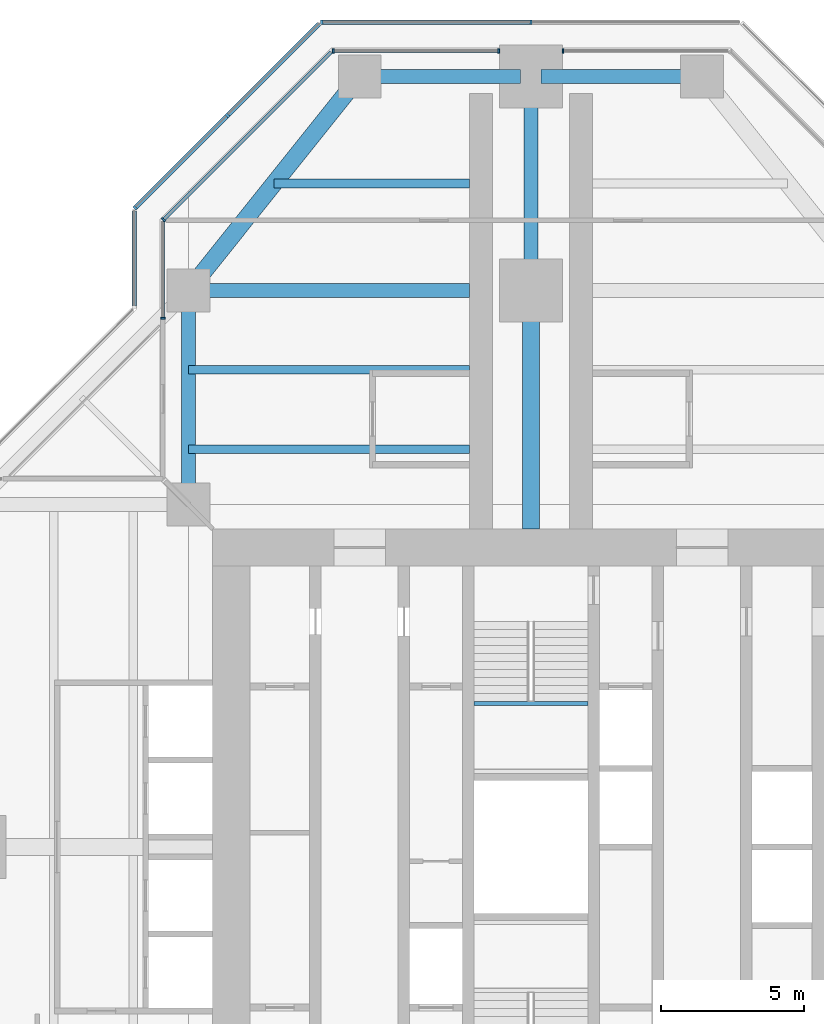
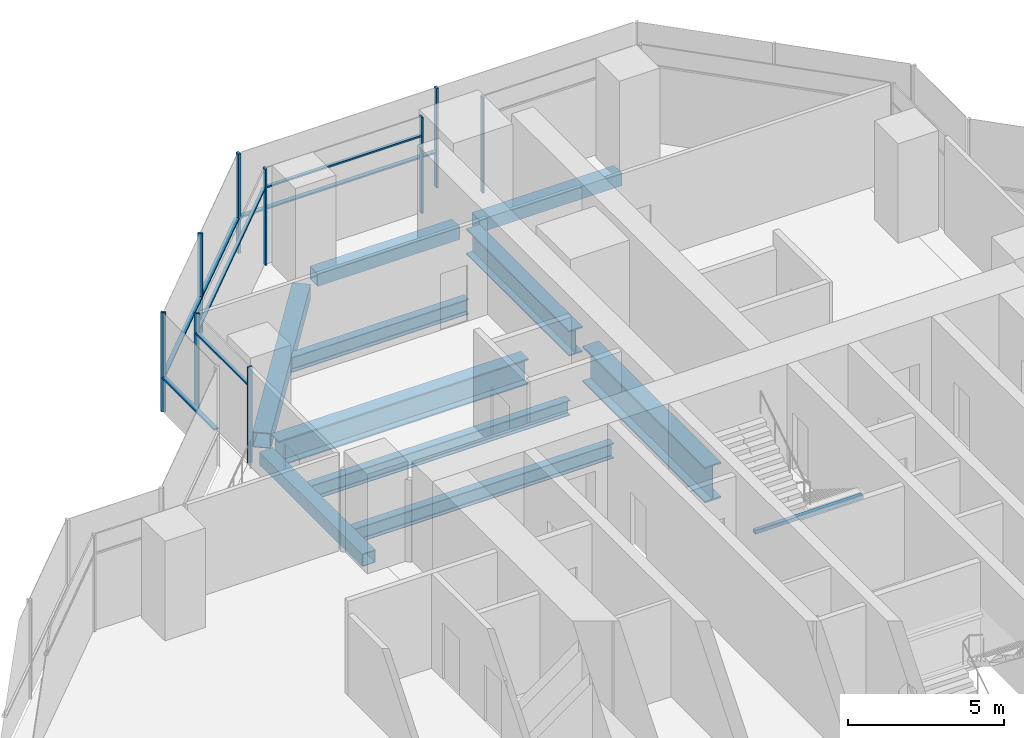
# One storey, part 7 of 17: 16 members, 11 beams, 7 elements without a shape of their own.
"""IFC4 building model written with IfcOpenShell, lengths in metres."""

from ifc_helpers import new_model, si_unit, direction, frame, origin, origin_2d, place, context, subcontext, project, spatial, rectangle, hollow_rectangle, i_section, extrude, material, material_profile, profile_set, type_object, element, aggregate, save


model = new_model("IFC4")

# Units and contexts
model_context = context("Model", 3, precision=1e-05, world=origin(), true_north=direction((0.0, 1.0)))
body_context = subcontext(model_context, "Body", "Model", "MODEL_VIEW")
ifc_project = project(units=[si_unit("LENGTHUNIT", "METRE"), si_unit("AREAUNIT", "SQUARE_METRE"), si_unit("VOLUMEUNIT", "CUBIC_METRE"), si_unit("PLANEANGLEUNIT", "RADIAN"), si_unit("MASSUNIT", "GRAM", prefix="KILO")], contexts=[model_context])

# Site, building, storey
site_placement = place(None, origin())
site = spatial("IfcSite", under=ifc_project, at=site_placement, CompositionType="ELEMENT")
building_placement = place(site_placement, origin())
building = spatial("IfcBuilding", under=site, at=building_placement, Name="Mizan Broadcast Tower", CompositionType="ELEMENT")
storey_placement = place(building_placement, frame((0.0, 0.0, 232.199951171875)))
storey = spatial("IfcBuildingStorey", under=building, at=storey_placement, Name="L54", CompositionType="ELEMENT", Elevation=232.199951171875)

# Beams
ifc_material_1 = material(Name="Steel S355", Category="steel")
ifc_material_profile_1 = material_profile(ifc_material_1, hollow_rectangle(XDim=0.5, YDim=0.5, WallThickness=0.030029296875, at=origin_2d()), Name="BOX 500x500x30")
ifc_profile_set_1 = profile_set([ifc_material_profile_1], Name="Steel S355")
beam_type_1 = type_object("IfcBeamType", Name="EDGE BEAM BOX 500x500x30", PredefinedType="SPANDREL", material=ifc_profile_set_1)
beam_1_placement = place(storey_placement, frame((5.639892578125, 27.0, -0.3798828125), z_axis=(-1.0, 0.0, 0.0), x_axis=(0.0, -1.0, 0.0)))
element("IfcBeam", 1, at=beam_1_placement, inside=storey, type_object=beam_type_1, Name="Edge beam BOX 500x500x30 L54 north arm", PredefinedType="SPANDREL", context=body_context, shape_type="SweptSolid", body=[
    extrude(hollow_rectangle(XDim=0.5, YDim=0.5, WallThickness=0.030029296875, at=origin_2d()), origin(), (0.0, 0.0, 1.0), 5.27978515625),
])
beam_2_placement = place(storey_placement, frame((-12.0, 12.449951171875, -0.3798828125), z_axis=(0.0, 1.0, 0.0), x_axis=(-1.0, 0.0, 0.0)))
element("IfcBeam", 2, at=beam_2_placement, inside=storey, type_object=beam_type_1, Name="Edge beam BOX 500x500x30 L54 north arm", PredefinedType="SPANDREL", context=body_context, shape_type="SweptSolid", body=[
    extrude(hollow_rectangle(XDim=0.5, YDim=0.5, WallThickness=0.030029296875, at=origin_2d()), origin(), (0.0, 0.0, 1.0), 6.60009765625),
])
beam_3_placement = place(storey_placement, frame((-5.639892578125, 27.0, -0.3798828125), z_axis=(1.0, 0.0, 0.0), x_axis=(0.0, 1.0, 0.0)))
element("IfcBeam", 3, at=beam_3_placement, inside=storey, type_object=beam_type_1, Name="Edge beam BOX 500x500x30 L54 north arm", PredefinedType="SPANDREL", context=body_context, shape_type="SweptSolid", body=[
    extrude(hollow_rectangle(XDim=0.5, YDim=0.5, WallThickness=0.030029296875, at=origin_2d()), origin(), (0.0, 0.0, 1.0), 5.27978515625),
])
ifc_material_2 = material(Name="Steel S355", Category="steel")
ifc_material_profile_2 = material_profile(ifc_material_2, hollow_rectangle(XDim=0.60009765625, YDim=0.60009765625, WallThickness=0.030029296875, at=origin_2d()), Name="BOX 600x600x30")
ifc_profile_set_2 = profile_set([ifc_material_profile_2], Name="Steel S355")
beam_type_2 = type_object("IfcBeamType", Name="EDGE BEAM BOX 600x600x30", PredefinedType="SPANDREL", material=ifc_profile_set_2)
beam_4_placement = place(storey_placement, frame((-11.639892578125, 19.949951171875, -0.429931640625), z_axis=(0.624673911726, 0.780885717636, 0.0), x_axis=(-0.780885717636, 0.624673911726, 0.0)))
element("IfcBeam", 4, at=beam_4_placement, inside=storey, type_object=beam_type_2, Name="Edge beam BOX 600x600x30 L54 north arm", PredefinedType="SPANDREL", context=body_context, shape_type="SweptSolid", body=[
    extrude(hollow_rectangle(XDim=0.60009765625, YDim=0.60009765625, WallThickness=0.030029296875, at=origin_2d()), origin(), (0.0, 0.0, 1.0), 8.4521484375),
])
ifc_material_3 = material(Name="Steel S460", Category="steel")
ifc_material_profile_3 = material_profile(ifc_material_3, i_section(OverallWidth=0.5, OverallDepth=1.0, WebThickness=0.02490234375, FlangeThickness=0.050048828125, at=origin_2d()), Name="WPG 1000x500")
ifc_profile_set_3 = profile_set([ifc_material_profile_3], Name="Steel S460")
beam_type_3 = type_object("IfcBeamType", Name="GIRDER WPG 1000x500", PredefinedType="BEAM", material=ifc_profile_set_3)
beam_5_placement = place(storey_placement, frame((0.0, 19.949951171875, -0.6298828125), z_axis=(0.0, 1.0, 0.0), x_axis=(-1.0, 0.0, 0.0)))
element("IfcBeam", 5, at=beam_5_placement, inside=storey, type_object=beam_type_3, Name="Girder WPG 1000x500 L54 north arm", PredefinedType="BEAM", context=body_context, shape_type="SweptSolid", body=[
    extrude(i_section(OverallWidth=0.5, OverallDepth=1.0, WebThickness=0.02490234375, FlangeThickness=0.050048828125, at=origin_2d()), origin(), (0.0, 0.0, 1.0), 6.60009765625),
])
beam_6_placement = place(storey_placement, frame((-11.408935546875, 19.5, -0.6298828125), z_axis=(1.0, 0.0, 0.0), x_axis=(0.0, 1.0, 0.0)))
element("IfcBeam", 6, at=beam_6_placement, inside=storey, type_object=beam_type_3, Name="Girder WPG 1000x500 L54 north arm", PredefinedType="BEAM", context=body_context, shape_type="SweptSolid", body=[
    extrude(i_section(OverallWidth=0.5, OverallDepth=1.0, WebThickness=0.02490234375, FlangeThickness=0.050048828125, at=origin_2d()), origin(), (0.0, 0.0, 1.0), 9.259033203125),
])
ifc_material_4 = material(Name="Steel S460", Category="steel")
ifc_material_profile_4 = material_profile(ifc_material_4, i_section(OverallWidth=0.60009765625, OverallDepth=1.39990234375, WebThickness=0.02490234375, FlangeThickness=0.06005859375, at=origin_2d()), Name="WPG 1400x600")
ifc_profile_set_4 = profile_set([ifc_material_profile_4], Name="Steel S460")
beam_type_4 = type_object("IfcBeamType", Name="GIRDER WPG 1400x600", PredefinedType="BEAM", material=ifc_profile_set_4)
beam_7_placement = place(storey_placement, frame((0.0, 11.14990234375, -0.829833984375), z_axis=(0.0, 1.0, 0.0), x_axis=(-1.0, 0.0, 0.0)))
element("IfcBeam", 7, at=beam_7_placement, inside=storey, type_object=beam_type_4, Name="Girder WPG 1400x600 L54 north arm", PredefinedType="BEAM", context=body_context, shape_type="SweptSolid", body=[
    extrude(i_section(OverallWidth=0.60009765625, OverallDepth=1.39990234375, WebThickness=0.02490234375, FlangeThickness=0.06005859375, at=origin_2d()), origin(), (0.0, 0.0, 1.0), 7.84912109375),
])

# Curtain wall, member
ifc_material_5 = material(Name="Aluminium framed glazing", Category="aluminium")
curtain_wall_type_1 = type_object("IfcCurtainWallType", Name="INNER SKIN HIGH ZONE", PredefinedType="USERDEFINED", material=ifc_material_5)
curtain_wall_1_placement = place(storey_placement, origin())
curtain_wall_1 = element("IfcCurtainWall", 8, at=curtain_wall_1_placement, inside=storey, type_object=curtain_wall_type_1, Name="Inner skin high zone L54 N end", ObjectType="INNER SKIN HIGH ZONE", PredefinedType="USERDEFINED")
ifc_material_6 = material(Name="Aluminium, pale anodised", Category="aluminium")
ifc_material_profile_5 = material_profile(ifc_material_6, rectangle(XDim=0.159912109375, YDim=0.06005859375, at=origin_2d()), Name="MULLION 160x60")
ifc_profile_set_5 = profile_set([ifc_material_profile_5], Name="Aluminium, pale anodised")
member_type_1 = type_object("IfcMemberType", Name="INNER SKIN MULLION 60x160", PredefinedType="MULLION", material=ifc_profile_set_5)
member_1_placement = place(storey_placement, frame((1.1298828125, 27.89990234375, 0.0), z_axis=(0.0, 0.0, 1.0), x_axis=(0.0, -1.0, 0.0)))
member_1 = element("IfcMember", 9, at=member_1_placement, type_object=member_type_1, Name="Inner skin high zone L54 N end mullion 2", PredefinedType="MULLION", context=body_context, shape_type="SweptSolid", body=[
    extrude(rectangle(XDim=0.159912109375, YDim=0.06005859375, at=origin_2d()), origin(), (0.0, 0.0, 1.0), 3.77001953125),
])
aggregate(curtain_wall_1, [member_1])

# Curtain wall, members
curtain_wall_2_placement = place(storey_placement, origin())
curtain_wall_2 = element("IfcCurtainWall", 10, at=curtain_wall_2_placement, inside=storey, type_object=curtain_wall_type_1, Name="Inner skin high zone L54 N end", ObjectType="INNER SKIN HIGH ZONE", PredefinedType="USERDEFINED")
member_2_placement = place(storey_placement, frame((-1.1298828125, 27.89990234375, 0.0), z_axis=(0.0, 0.0, 1.0), x_axis=(0.0, -1.0, 0.0)))
member_2 = element("IfcMember", 11, at=member_2_placement, type_object=member_type_1, Name="Inner skin high zone L54 N end mullion 1", PredefinedType="MULLION", context=body_context, shape_type="SweptSolid", body=[
    extrude(rectangle(XDim=0.159912109375, YDim=0.06005859375, at=origin_2d()), origin(), (0.0, 0.0, 1.0), 3.77001953125),
])
member_3_placement = place(storey_placement, frame((-6.928466796875, 27.89990234375, 0.0), z_axis=(0.0, 0.0, 1.0), x_axis=(0.0, -1.0, 0.0)))
member_3 = element("IfcMember", 12, at=member_3_placement, type_object=member_type_1, Name="Inner skin high zone L54 N end mullion 2", PredefinedType="MULLION", context=body_context, shape_type="SweptSolid", body=[
    extrude(rectangle(XDim=0.159912109375, YDim=0.06005859375, at=origin_2d()), origin(), (0.0, 0.0, 1.0), 3.77001953125),
])

# Curtain wall, member
curtain_wall_3_placement = place(storey_placement, origin())
curtain_wall_3 = element("IfcCurtainWall", 13, at=curtain_wall_3_placement, inside=storey, type_object=curtain_wall_type_1, Name="Inner skin high zone L54 N chamfer", ObjectType="INNER SKIN HIGH ZONE", PredefinedType="USERDEFINED")
member_4_placement = place(storey_placement, frame((-12.87890625, 21.979736328125, 0.0), z_axis=(0.0, 0.0, 1.0), x_axis=(0.707106781187, -0.707106781187, 0.0)))
member_4 = element("IfcMember", 14, at=member_4_placement, type_object=member_type_1, Name="Inner skin high zone L54 N chamfer mullion 2", PredefinedType="MULLION", context=body_context, shape_type="SweptSolid", body=[
    extrude(rectangle(XDim=0.159912109375, YDim=0.06005859375, at=origin_2d()), origin(), (0.0, 0.0, 1.0), 3.77001953125),
])

curtain_wall_4_placement = place(storey_placement, origin())
curtain_wall_4 = element("IfcCurtainWall", 15, at=curtain_wall_4_placement, inside=storey, type_object=curtain_wall_type_1, Name="Inner skin high zone L54 N side", ObjectType="INNER SKIN HIGH ZONE", PredefinedType="USERDEFINED")
member_5_placement = place(storey_placement, frame((-12.89990234375, 18.530029296875, 0.0), z_axis=(0.0, 0.0, 1.0), x_axis=(1.0, 0.0, 0.0)))
member_5 = element("IfcMember", 16, at=member_5_placement, type_object=member_type_1, Name="Inner skin high zone L54 N side mullion 2", PredefinedType="MULLION", context=body_context, shape_type="SweptSolid", body=[
    extrude(rectangle(XDim=0.159912109375, YDim=0.06005859375, at=origin_2d()), origin(), (0.0, 0.0, 1.0), 3.77001953125),
])

# Member
ifc_material_7 = material(Name="Aluminium, pale anodised", Category="aluminium")
ifc_material_profile_6 = material_profile(ifc_material_7, rectangle(XDim=0.1201171875, YDim=0.06005859375, at=origin_2d()), Name="TRANSOM 120x60")
ifc_profile_set_6 = profile_set([ifc_material_profile_6], Name="Aluminium, pale anodised")
member_type_2 = type_object("IfcMemberType", Name="INNER SKIN TRANSOM 60x120", PredefinedType="USERDEFINED", material=ifc_profile_set_6)
member_6_placement = place(storey_placement, frame((-1.159912109375, 27.89990234375, 3.030029296875), z_axis=(-1.0, 0.0, 0.0), x_axis=(0.0, -1.0, 0.0)))
member_6 = element("IfcMember", 17, at=member_6_placement, type_object=member_type_2, Name="Inner skin high zone L54 N end transom 1.1", ObjectType="TRANSOM", PredefinedType="USERDEFINED", context=body_context, shape_type="SweptSolid", body=[
    extrude(rectangle(XDim=0.1201171875, YDim=0.06005859375, at=origin_2d()), origin(), (0.0, 0.0, 1.0), 5.73876953125),
])

aggregate(curtain_wall_2, [member_2, member_3, member_6])

member_7_placement = place(storey_placement, frame((-7.0009765625, 27.857666015625, 3.030029296875), z_axis=(-0.707106781187, -0.707106781187, 0.0), x_axis=(0.707106781187, -0.707106781187, 0.0)))
member_7 = element("IfcMember", 18, at=member_7_placement, type_object=member_type_2, Name="Inner skin high zone L54 N chamfer transom 1.1", ObjectType="TRANSOM", PredefinedType="USERDEFINED", context=body_context, shape_type="SweptSolid", body=[
    extrude(rectangle(XDim=0.1201171875, YDim=0.06005859375, at=origin_2d()), origin(), (0.0, 0.0, 1.0), 8.28271484375),
])

aggregate(curtain_wall_3, [member_4, member_7])

member_8_placement = place(storey_placement, frame((-12.89990234375, 21.898681640625, 3.030029296875), z_axis=(0.0, -1.0, 0.0), x_axis=(1.0, 0.0, 0.0)))
member_8 = element("IfcMember", 19, at=member_8_placement, type_object=member_type_2, Name="Inner skin high zone L54 N side transom 1.1", ObjectType="TRANSOM", PredefinedType="USERDEFINED", context=body_context, shape_type="SweptSolid", body=[
    extrude(rectangle(XDim=0.1201171875, YDim=0.06005859375, at=origin_2d()), origin(), (0.0, 0.0, 1.0), 3.338623046875),
])

aggregate(curtain_wall_4, [member_5, member_8])

# Beam
ifc_material_8 = material(Name="Steel S355", Category="steel")
ifc_material_profile_7 = material_profile(ifc_material_8, hollow_rectangle(XDim=0.14990234375, YDim=0.14990234375, WallThickness=0.008056640625, InnerFilletRadius=0.008056640625, OuterFilletRadius=0.011962890625, at=origin_2d()), Name="SHS 150x150x8")
ifc_profile_set_7 = profile_set([ifc_material_profile_7], Name="Steel S355")
beam_type_5 = type_object("IfcBeamType", Name="LANDING TRIMMER SHS 150x150x8", PredefinedType="BEAM", material=ifc_profile_set_7)
beam_8_placement = place(storey_placement, frame((2.0, 5.02490234375, 1.675048828125), z_axis=(-1.0, 0.0, 0.0), x_axis=(0.0, -1.0, 0.0)))
element("IfcBeam", 20, at=beam_8_placement, inside=storey, type_object=beam_type_5, Name="Stair B landing trimmer L54", PredefinedType="BEAM", context=body_context, shape_type="SweptSolid", body=[
    extrude(hollow_rectangle(XDim=0.14990234375, YDim=0.14990234375, WallThickness=0.008056640625, InnerFilletRadius=0.008056640625, OuterFilletRadius=0.011962890625, at=origin_2d()), origin(), (0.0, 0.0, 1.0), 4.0),
])

# Curtain wall, members
ifc_material_9 = material(Name="Aluminium framed glazing", Category="aluminium")
curtain_wall_type_2 = type_object("IfcCurtainWallType", Name="OUTER SKIN", PredefinedType="USERDEFINED", material=ifc_material_9)
curtain_wall_5_placement = place(storey_placement, origin())
curtain_wall_5 = element("IfcCurtainWall", 21, at=curtain_wall_5_placement, inside=storey, type_object=curtain_wall_type_2, Name="Outer skin L54 N end", ObjectType="OUTER SKIN", PredefinedType="USERDEFINED")
ifc_material_10 = material(Name="Aluminium, pale anodised", Category="aluminium")
ifc_material_profile_8 = material_profile(ifc_material_10, rectangle(XDim=0.159912109375, YDim=0.080078125, at=origin_2d()), Name="MULLION 160x80")
ifc_profile_set_8 = profile_set([ifc_material_profile_8], Name="Aluminium, pale anodised")
member_type_3 = type_object("IfcMemberType", Name="OUTER SKIN MULLION 80x160", PredefinedType="MULLION", material=ifc_profile_set_8)
member_9_placement = place(storey_placement, frame((0.0, 28.89990234375, 0.0), z_axis=(0.0, 0.0, 1.0), x_axis=(0.0, -1.0, 0.0)))
member_9 = element("IfcMember", 22, at=member_9_placement, type_object=member_type_3, Name="Outer skin L54 N end mullion 2", PredefinedType="MULLION", context=body_context, shape_type="SweptSolid", body=[
    extrude(rectangle(XDim=0.159912109375, YDim=0.080078125, at=origin_2d()), origin(), (0.0, 0.0, 1.0), 3.900146484375),
])
member_10_placement = place(storey_placement, frame((-7.332763671875, 28.89990234375, 0.0), z_axis=(0.0, 0.0, 1.0), x_axis=(0.0, -1.0, 0.0)))
member_10 = element("IfcMember", 23, at=member_10_placement, type_object=member_type_3, Name="Outer skin L54 N end mullion 3", PredefinedType="MULLION", context=body_context, shape_type="SweptSolid", body=[
    extrude(rectangle(XDim=0.159912109375, YDim=0.080078125, at=origin_2d()), origin(), (0.0, 0.0, 1.0), 3.900146484375),
])

curtain_wall_6_placement = place(storey_placement, origin())
curtain_wall_6 = element("IfcCurtainWall", 24, at=curtain_wall_6_placement, inside=storey, type_object=curtain_wall_type_2, Name="Outer skin L54 N chamfer", ObjectType="OUTER SKIN", PredefinedType="USERDEFINED")
member_11_placement = place(storey_placement, frame((-10.636474609375, 25.636474609375, 0.0), z_axis=(0.0, 0.0, 1.0), x_axis=(0.707106781187, -0.707106781187, 0.0)))
member_11 = element("IfcMember", 25, at=member_11_placement, type_object=member_type_3, Name="Outer skin L54 N chamfer mullion 2", PredefinedType="MULLION", context=body_context, shape_type="SweptSolid", body=[
    extrude(rectangle(XDim=0.159912109375, YDim=0.080078125, at=origin_2d()), origin(), (0.0, 0.0, 1.0), 3.900146484375),
])
member_12_placement = place(storey_placement, frame((-13.871826171875, 22.401123046875, 0.0), z_axis=(0.0, 0.0, 1.0), x_axis=(0.707106781187, -0.707106781187, 0.0)))
member_12 = element("IfcMember", 26, at=member_12_placement, type_object=member_type_3, Name="Outer skin L54 N chamfer mullion 3", PredefinedType="MULLION", context=body_context, shape_type="SweptSolid", body=[
    extrude(rectangle(XDim=0.159912109375, YDim=0.080078125, at=origin_2d()), origin(), (0.0, 0.0, 1.0), 3.900146484375),
])

# Member
ifc_material_11 = material(Name="Aluminium, pale anodised", Category="aluminium")
ifc_material_profile_9 = material_profile(ifc_material_11, rectangle(XDim=0.159912109375, YDim=0.06005859375, at=origin_2d()), Name="TRANSOM 160x60")
ifc_profile_set_9 = profile_set([ifc_material_profile_9], Name="Aluminium, pale anodised")
member_type_4 = type_object("IfcMemberType", Name="OUTER SKIN TRANSOM 60x160", PredefinedType="USERDEFINED", material=ifc_profile_set_9)
member_13_placement = place(storey_placement, frame((-0.0400390625, 28.89990234375, 1.400146484375), z_axis=(-1.0, 0.0, 0.0), x_axis=(0.0, -1.0, 0.0)))
member_13 = element("IfcMember", 27, at=member_13_placement, type_object=member_type_4, Name="Outer skin L54 N end transom 2.1", ObjectType="TRANSOM", PredefinedType="USERDEFINED", context=body_context, shape_type="SweptSolid", body=[
    extrude(rectangle(XDim=0.159912109375, YDim=0.06005859375, at=origin_2d()), origin(), (0.0, 0.0, 1.0), 7.252685546875),
])

aggregate(curtain_wall_5, [member_9, member_10, member_13])

member_14_placement = place(storey_placement, frame((-7.429443359375, 28.843505859375, 1.400146484375), z_axis=(-0.707106781187, -0.707106781187, 0.0), x_axis=(0.707106781187, -0.707106781187, 0.0)))
member_14 = element("IfcMember", 28, at=member_14_placement, type_object=member_type_4, Name="Outer skin L54 N chamfer transom 1.1", ObjectType="TRANSOM", PredefinedType="USERDEFINED", context=body_context, shape_type="SweptSolid", body=[
    extrude(rectangle(XDim=0.159912109375, YDim=0.06005859375, at=origin_2d()), origin(), (0.0, 0.0, 1.0), 4.495361328125),
])

member_15_placement = place(storey_placement, frame((-10.664794921875, 25.608154296875, 1.400146484375), z_axis=(-0.707106781187, -0.707106781187, 0.0), x_axis=(0.707106781187, -0.707106781187, 0.0)))
member_15 = element("IfcMember", 29, at=member_15_placement, type_object=member_type_4, Name="Outer skin L54 N chamfer transom 2.1", ObjectType="TRANSOM", PredefinedType="USERDEFINED", context=body_context, shape_type="SweptSolid", body=[
    extrude(rectangle(XDim=0.159912109375, YDim=0.06005859375, at=origin_2d()), origin(), (0.0, 0.0, 1.0), 4.495361328125),
])

aggregate(curtain_wall_6, [member_11, member_12, member_14, member_15])

# Curtain wall, member
curtain_wall_7_placement = place(storey_placement, origin())
curtain_wall_7 = element("IfcCurtainWall", 30, at=curtain_wall_7_placement, inside=storey, type_object=curtain_wall_type_2, Name="Outer skin L54 N side", ObjectType="OUTER SKIN", PredefinedType="USERDEFINED")
member_16_placement = place(storey_placement, frame((-13.89990234375, 22.292724609375, 1.400146484375), z_axis=(0.0, -1.0, 0.0), x_axis=(1.0, 0.0, 0.0)))
member_16 = element("IfcMember", 31, at=member_16_placement, type_object=member_type_4, Name="Outer skin L54 N side transom 1.1", ObjectType="TRANSOM", PredefinedType="USERDEFINED", context=body_context, shape_type="SweptSolid", body=[
    extrude(rectangle(XDim=0.159912109375, YDim=0.06005859375, at=origin_2d()), origin(), (0.0, 0.0, 1.0), 3.33984375),
])
aggregate(curtain_wall_7, [member_16])

# Beams
ifc_material_12 = material(Name="Steel S355", Category="steel")
ifc_material_profile_10 = material_profile(ifc_material_12, i_section(OverallWidth=0.300048828125, OverallDepth=0.590087890625, WebThickness=0.012939453125, FlangeThickness=0.02490234375, FilletRadius=0.027099609375, at=origin_2d()), Name="HEA 600")
ifc_profile_set_10 = profile_set([ifc_material_profile_10], Name="Steel S355")
beam_type_6 = type_object("IfcBeamType", Name="SECONDARY BEAM HEA 600", PredefinedType="JOIST", material=ifc_profile_set_10)
for number, where, z_axis, x_axis, name in (
    (32, (-12.0, 13.933349609375, -0.425048828125), (1.0, 0.0, 0.0), (0.0, 1.0, 0.0), "Secondary beam HEA 600 L54 north arm"),
    (33, (-12.0, 16.716552734375, -0.425048828125), (1.0, 0.0, 0.0), (0.0, 1.0, 0.0), "Secondary beam HEA 600 L54 north arm"),
):
    element("IfcBeam", number, at=place(storey_placement, frame(where, z_axis=z_axis, x_axis=x_axis)), inside=storey, type_object=beam_type_6, Name=name, PredefinedType="JOIST", context=body_context, shape_type="SweptSolid", body=[
        extrude(i_section(OverallWidth=0.300048828125, OverallDepth=0.590087890625, WebThickness=0.012939453125, FlangeThickness=0.02490234375, FilletRadius=0.027099609375, at=origin_2d()), origin(), (0.0, 0.0, 1.0), 9.85009765625),
    ])
beam_9_placement = place(storey_placement, frame((-9.0, 23.25, -0.425048828125), z_axis=(1.0, 0.0, 0.0), x_axis=(0.0, 1.0, 0.0)))
element("IfcBeam", 34, at=beam_9_placement, inside=storey, type_object=beam_type_6, Name="Secondary beam HEA 600 L54 north arm", PredefinedType="JOIST", context=body_context, shape_type="SweptSolid", body=[
    extrude(i_section(OverallWidth=0.300048828125, OverallDepth=0.590087890625, WebThickness=0.012939453125, FlangeThickness=0.02490234375, FilletRadius=0.027099609375, at=origin_2d()), origin(), (0.0, 0.0, 1.0), 6.85009765625),
])

save(model, "model.ifc")
